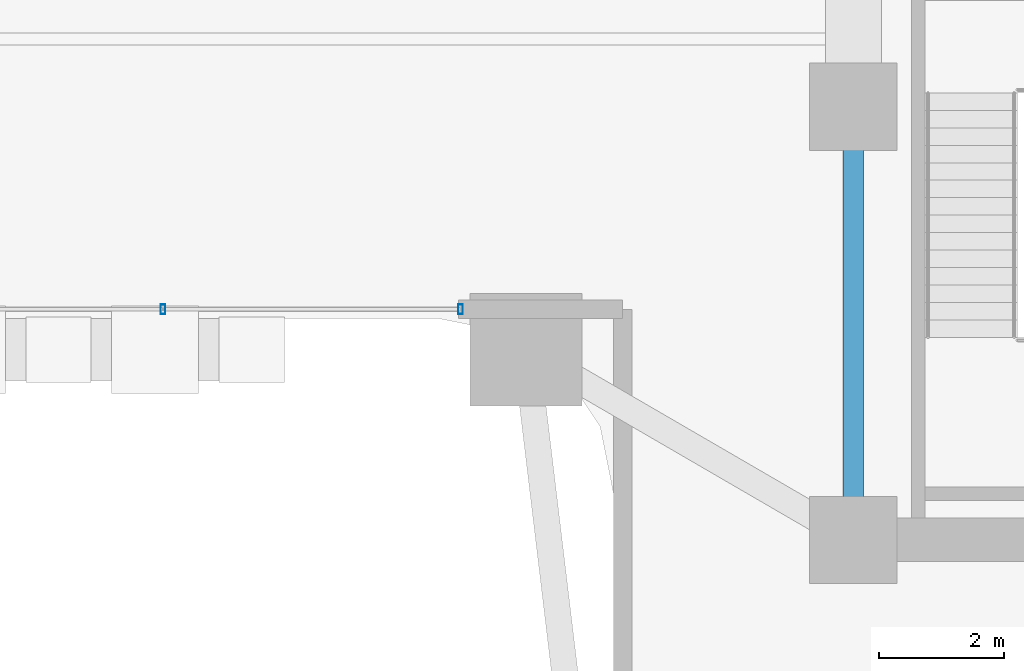
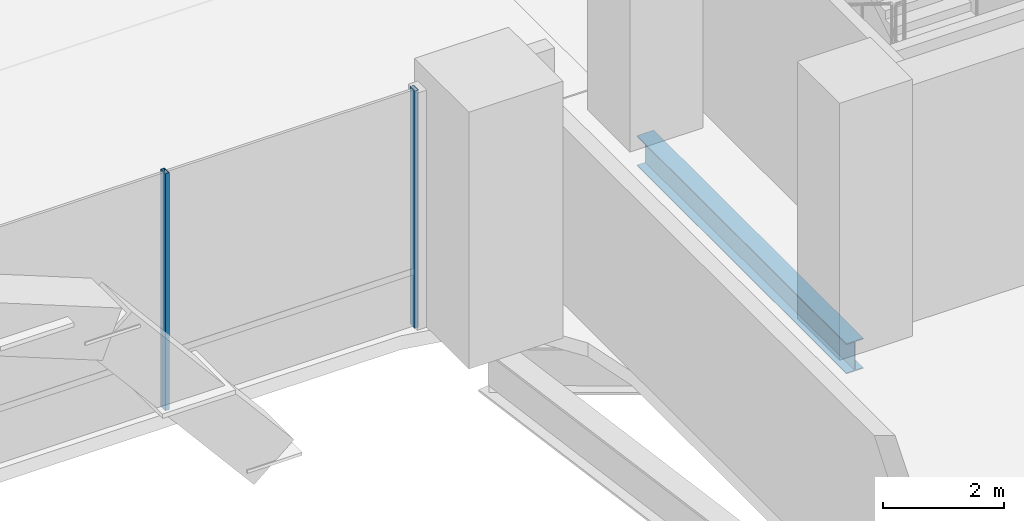
# One storey, part 10 of 39: 2 members, 1 beam, 1 element without a shape of its own.
"""IFC4 building model written with IfcOpenShell, lengths in metres."""

import ifcopenshell
import ifcopenshell.guid

model = None  # the IFC model being written
_history = None  # IfcOwnerHistory: only IFC2X3 demands one
_inside = {}  # id of a spatial element -> (the spatial element, [elements in it])
_under = {}  # id of a project, library or spatial element -> (it, [spatial elements below it])
_declared = {}  # id of a project -> (the project, [libraries it declares])
_typed = {}  # id of a type object -> (the type object, [elements of that type])
_made_of = {}  # id of a material, layer set ... -> (it, [elements and type objects made of it])


def new_model(schema):
    """Start an empty IFC model of exactly this schema.

    Asked for "IFC4X3", IfcOpenShell would pick the latest addendum, in which some entities
    have other attributes; the version numbers below select the first issue.
    IFC2X3 requires an IfcOwnerHistory on every rooted entity: one is made here for all.
    """
    global model, _history
    if schema == "IFC4X3":
        model = ifcopenshell.file(schema_version=(4, 3, 0, 0))
    else:
        model = ifcopenshell.file(schema=schema)
    _inside.clear()
    _under.clear()
    _declared.clear()
    _typed.clear()
    _made_of.clear()
    _history = None
    if model.schema == "IFC2X3":
        org = make("IfcOrganization", Name="unknown")
        user = make(
            "IfcPersonAndOrganization",
            ThePerson=make("IfcPerson", FamilyName="unknown"),
            TheOrganization=org,
        )
        app = make(
            "IfcApplication",
            ApplicationDeveloper=org,
            Version="unknown",
            ApplicationFullName="unknown",
            ApplicationIdentifier="unknown",
        )
        _history = make(
            "IfcOwnerHistory",
            OwningUser=user,
            OwningApplication=app,
            ChangeAction="ADDED",
            CreationDate=0,
        )
    return model


def make(cls, **values):
    """One entity of the class cls with the attributes given. An attribute that is None is left unset."""
    return model.create_entity(
        cls, **{name: value for name, value in values.items() if value is not None}
    )


def rooted(cls, **values):
    """An entity with a GlobalId (a new one), such as an element, a storey or a relation."""
    return make(cls, GlobalId=ifcopenshell.guid.new(), OwnerHistory=_history, **values)


def si_unit(unit_type, name, prefix=None):
    """IfcSIUnit, for example si_unit("LENGTHUNIT", "METRE", prefix="MILLI")."""
    return make("IfcSIUnit", UnitType=unit_type, Prefix=prefix, Name=name)


def assignment(units):
    """IfcUnitAssignment: the units of a project."""
    return None if units is None else make("IfcUnitAssignment", Units=units)


def point(xyz):
    """IfcCartesianPoint."""
    return None if xyz is None else make("IfcCartesianPoint", Coordinates=xyz)


def direction(xyz):
    """IfcDirection."""
    return None if xyz is None else make("IfcDirection", DirectionRatios=xyz)


def frame(location, z_axis=None, x_axis=None):
    """IfcAxis2Placement3D, a coordinate frame: its origin and axes. An axis left out is left unset."""
    return make(
        "IfcAxis2Placement3D",
        Location=point(location),
        Axis=direction(z_axis),
        RefDirection=direction(x_axis),
    )


def frame_2d(location, x_axis=None):
    """IfcAxis2Placement2D, a coordinate frame in the plane: its origin and x axis."""
    return make(
        "IfcAxis2Placement2D", Location=point(location), RefDirection=direction(x_axis)
    )


def origin():
    """The frame at (0, 0, 0) with its axes left unset."""
    return frame((0.0, 0.0, 0.0))


def origin_2d():
    """The frame at (0, 0) in the plane with its x axis left unset."""
    return frame_2d((0.0, 0.0))


def place(relative_to, where):
    """IfcLocalPlacement: puts the frame where relative to a parent placement (None: the world)."""
    return make(
        "IfcLocalPlacement", PlacementRelTo=relative_to, RelativePlacement=where
    )


def context(
    kind, dimensions, precision=None, world=None, true_north=None, identifier=None
):
    """IfcGeometricRepresentationContext, for example the 3D "Model" context."""
    return make(
        "IfcGeometricRepresentationContext",
        ContextIdentifier=identifier,
        ContextType=kind,
        CoordinateSpaceDimension=dimensions,
        Precision=precision,
        WorldCoordinateSystem=world,
        TrueNorth=true_north,
    )


def subcontext(parent, identifier, kind, view, scale=None):
    """IfcGeometricRepresentationSubContext, for example "Body" below "Model"."""
    return make(
        "IfcGeometricRepresentationSubContext",
        ContextIdentifier=identifier,
        ContextType=kind,
        ParentContext=parent,
        TargetScale=scale,
        TargetView=view,
    )


def project(units=None, contexts=None):
    """IfcProject with its units and contexts."""
    return rooted(
        "IfcProject",
        Name="project",
        RepresentationContexts=contexts,
        UnitsInContext=assignment(units),
    )


def spatial(cls, under=None, at=None, **own):
    """A site, building, storey or space (cls), placed at a placement, below another one or the project."""
    s = rooted(cls, ObjectPlacement=at, **own)
    if under is not None:
        _under.setdefault(under.id(), (under, []))[1].append(s)
    return s


def profile(cls, at=None, kind="AREA", **sizes):
    """A parametric profile (cls). Its sizes go by their IFC names, for example OverallWidth=200.0."""
    return make(cls, ProfileType=kind, Position=at, **sizes)


def hollow_rectangle(**sizes):
    """IfcRectangleHollowProfileDef."""
    return profile("IfcRectangleHollowProfileDef", **sizes)


def i_section(**sizes):
    """IfcIShapeProfileDef."""
    return profile("IfcIShapeProfileDef", **sizes)


def extrude(swept, where, along, depth):
    """IfcExtrudedAreaSolid: the profile swept, set in the frame where, extruded along a direction by depth."""
    return make(
        "IfcExtrudedAreaSolid",
        SweptArea=swept,
        Position=where,
        ExtrudedDirection=direction(along),
        Depth=depth,
    )


def shape(context_of_items, identifier, shape_type, items):
    """IfcShapeRepresentation: the items that make up one representation, for example the "Body"."""
    return make(
        "IfcShapeRepresentation",
        ContextOfItems=context_of_items,
        RepresentationIdentifier=identifier,
        RepresentationType=shape_type,
        Items=items,
    )


def source(mapping_origin, context_of_items, identifier, shape_type, items):
    """IfcRepresentationMap: a shape defined once, which mapped items show again and again."""
    return make(
        "IfcRepresentationMap",
        MappingOrigin=mapping_origin,
        MappedRepresentation=shape(context_of_items, identifier, shape_type, items),
    )


def transform(
    local_origin,
    x_axis=None,
    y_axis=None,
    z_axis=None,
    scale=None,
    scale2=None,
    scale3=None,
    uniform=True,
):
    """IfcCartesianTransformationOperator3D, or its non-uniform kind. x_axis, y_axis, z_axis: its Axis1, 2, 3."""
    if uniform:
        return make(
            "IfcCartesianTransformationOperator3D",
            Axis1=direction(x_axis),
            Axis2=direction(y_axis),
            LocalOrigin=point(local_origin),
            Scale=scale,
            Axis3=direction(z_axis),
        )
    return make(
        "IfcCartesianTransformationOperator3DnonUniform",
        Axis1=direction(x_axis),
        Axis2=direction(y_axis),
        LocalOrigin=point(local_origin),
        Scale=scale,
        Axis3=direction(z_axis),
        Scale2=scale2,
        Scale3=scale3,
    )


def mapped(mapping_source, mapping_target):
    """IfcMappedItem: shows the shape of a source again, moved by a transform."""
    return make(
        "IfcMappedItem", MappingSource=mapping_source, MappingTarget=mapping_target
    )


def material(Name=None, Category=None):
    """IfcMaterial."""
    return make("IfcMaterial", Name=Name, Category=Category)


def material_profile(
    of_material, cross_section, Name=None, Category=None, Priority=None
):
    """IfcMaterialProfile: a cross section and its material."""
    return make(
        "IfcMaterialProfile",
        Name=Name,
        Material=of_material,
        Profile=cross_section,
        Priority=Priority,
        Category=Category,
    )


def profile_set(profiles, Name=None, composite=None):
    """IfcMaterialProfileSet."""
    return make(
        "IfcMaterialProfileSet",
        Name=Name,
        MaterialProfiles=profiles,
        CompositeProfile=composite,
    )


def made_of(thing, what):
    """Note that an element or type object is made of a material, layer set ...; save() writes the relation."""
    if what is not None:
        _made_of.setdefault(what.id(), (what, []))[1].append(thing)
    return thing


def type_object(cls, material=None, **own):
    """A type object (cls), such as IfcWallType, which elements share."""
    return made_of(rooted(cls, **own), material)


def element(
    cls,
    number,
    at=None,
    inside=None,
    cuts=None,
    type_object=None,
    material=None,
    context=None,
    identifier="Body",
    shape_type=None,
    held_by="IfcProductDefinitionShape",
    body=None,
    shapes=None,
    **own,
):
    """One element of the class cls, such as IfcWall. Its Tag is "e" and its number.

    at: its placement. inside: the storey or other place that contains it. cuts: it is an
    opening in that element (IfcRelVoidsElement). A single representation is given by context,
    identifier, shape_type and body (its items); several are given by shapes. held_by: the class
    of the entity that holds the representations. save() writes the other relations.
    """
    e = rooted(cls, Tag="e%d" % number, ObjectPlacement=at, **own)
    if body is not None:
        shapes = [shape(context, identifier, shape_type, body)]
    if shapes is not None:
        e.Representation = make(held_by, Representations=shapes)
    if inside is not None:
        _inside.setdefault(inside.id(), (inside, []))[1].append(e)
    if cuts is not None:
        rooted(
            "IfcRelVoidsElement", RelatingBuildingElement=cuts, RelatedOpeningElement=e
        )
    if type_object is not None:
        _typed.setdefault(type_object.id(), (type_object, []))[1].append(e)
    return made_of(e, material)


def aggregate(whole, parts):
    """IfcRelAggregates: a whole, such as a stair, and the parts it consists of."""
    return rooted("IfcRelAggregates", RelatingObject=whole, RelatedObjects=parts)


def save(model, path):
    """Write the relations noted so far, then the file.

    IfcRelAggregates (storeys below a building ...), IfcRelContainedInSpatialStructure (elements
    in a storey), IfcRelDefinesByType, IfcRelAssociatesMaterial and IfcRelDeclares: one each for
    every whole, place, type object, material and project.
    """
    for whole, parts in _under.values():
        aggregate(whole, parts)
    for where, things in _inside.values():
        rooted(
            "IfcRelContainedInSpatialStructure",
            RelatedElements=things,
            RelatingStructure=where,
        )
    for kind, things in _typed.values():
        rooted("IfcRelDefinesByType", RelatedObjects=things, RelatingType=kind)
    for what, things in _made_of.values():
        rooted("IfcRelAssociatesMaterial", RelatedObjects=things, RelatingMaterial=what)
    for by, libraries in _declared.values():
        rooted("IfcRelDeclares", RelatingContext=by, RelatedDefinitions=libraries)
    model.write(path)


model = new_model("IFC4")

# Units and contexts
model_context = context("Model", 3, precision=1e-05, world=origin(), true_north=direction((0.0, 1.0)))
body_context = subcontext(model_context, "Body", "Model", "MODEL_VIEW")
ifc_project = project(units=[si_unit("LENGTHUNIT", "METRE"), si_unit("AREAUNIT", "SQUARE_METRE"), si_unit("VOLUMEUNIT", "CUBIC_METRE"), si_unit("PLANEANGLEUNIT", "RADIAN"), si_unit("MASSUNIT", "GRAM", prefix="KILO")], contexts=[model_context])

# Site, building, storey
site_placement = place(None, origin())
site = spatial("IfcSite", under=ifc_project, at=site_placement, CompositionType="ELEMENT")
building_placement = place(site_placement, origin())
building = spatial("IfcBuilding", under=site, at=building_placement, Name="Valdorenza Pilgrim Sanctuary Tower", CompositionType="ELEMENT")
storey_placement = place(building_placement, frame((0.0, 0.0, 15.60009765625)))
storey = spatial("IfcBuildingStorey", under=building, at=storey_placement, Name="L03", CompositionType="ELEMENT", Elevation=15.60009765625)

# Beam
ifc_material_1 = material(Name="Steel ASTM A992 Grade 50", Category="steel")
ifc_material_profile_1 = material_profile(ifc_material_1, i_section(OverallWidth=0.323974609375, OverallDepth=0.611083984375, WebThickness=0.0126953125, FlangeThickness=0.01904296875, at=origin_2d()), Name="W24X104")
ifc_profile_set_1 = profile_set([ifc_material_profile_1], Name="Steel ASTM A992 Grade 50")
beam_type = type_object("IfcBeamType", Name="STR-BM-GRD-W24B", PredefinedType="BEAM", material=ifc_profile_set_1)
shared_shape_1 = source(origin(), body_context, "Body", "SweptSolid", [
    extrude(i_section(OverallWidth=0.323974609375, OverallDepth=0.611083984375, WebThickness=0.0126953125, FlangeThickness=0.01904296875, at=origin_2d()), origin(), (0.0, 0.0, 1.0), 6.949951171875),
])
beam_placement = place(storey_placement, frame((15.85009765625, -9.550048828125, -0.585693359375), z_axis=(0.0, 1.0, 0.0), x_axis=(-1.0, 0.0, 0.0)))
element("IfcBeam", 1, at=beam_placement, inside=storey, type_object=beam_type, Name="L03 Core Tie Girder CB-W-S1M0", PredefinedType="BEAM", context=body_context, shape_type="MappedRepresentation", body=[
    mapped(shared_shape_1, transform((0.0, 0.0, 0.0), x_axis=(1.0, 0.0, 0.0), y_axis=(0.0, 1.0, 0.0), z_axis=(0.0, 0.0, 1.0), scale=1.0)),
])

# Curtain wall, members
ifc_material_2 = material(Name="Curtain-wall IGU glazing", Category="glass")
curtain_wall_type = type_object("IfcCurtainWallType", Name="CW-SYS-01", PredefinedType="NOTDEFINED", material=ifc_material_2)
curtain_wall_placement = place(storey_placement, origin())
curtain_wall = element("IfcCurtainWall", 2, at=curtain_wall_placement, inside=storey, type_object=curtain_wall_type, Name="L03 Curtain Wall CW-POD-L03-ARCH-BACK", PredefinedType="NOTDEFINED")
ifc_material_3 = material(Name="Anodised aluminium AW-6060", Category="aluminium")
ifc_material_profile_2 = material_profile(ifc_material_3, hollow_rectangle(XDim=0.074951171875, YDim=0.159912109375, WallThickness=0.00390625, at=origin_2d()), Name="ALU-M 160x75x4")
ifc_profile_set_2 = profile_set([ifc_material_profile_2], Name="Anodised aluminium AW-6060")
member_type = type_object("IfcMemberType", Name="CW-MUL-01", PredefinedType="MULLION", material=ifc_profile_set_2)
shared_shape_2 = source(origin(), body_context, "Body", "SweptSolid", [
    extrude(hollow_rectangle(XDim=0.074951171875, YDim=0.159912109375, WallThickness=0.00390625, at=origin_2d()), origin(), (0.0, 0.0, 1.0), 4.7998046875),
])
member_1_placement = place(storey_placement, frame((4.77490234375, -5.85009765625, 0.0), z_axis=(0.0, 0.0, 1.0), x_axis=(1.0, 0.0, 0.0)))
member_1 = element("IfcMember", 3, at=member_1_placement, type_object=member_type, Name="CW-POD-L03-ARCH-BACK Mullion 4", PredefinedType="MULLION", context=body_context, shape_type="MappedRepresentation", body=[
    mapped(shared_shape_2, transform((0.0, 0.0, 0.0), x_axis=(1.0, 0.0, 0.0), y_axis=(0.0, 1.0, 0.0), z_axis=(0.0, 0.0, 1.0), scale=1.0)),
])
member_2_placement = place(storey_placement, frame((9.550048828125, -5.85009765625, 0.0), z_axis=(0.0, 0.0, 1.0), x_axis=(1.0, 0.0, 0.0)))
member_2 = element("IfcMember", 4, at=member_2_placement, type_object=member_type, Name="CW-POD-L03-ARCH-BACK Mullion 5", PredefinedType="MULLION", context=body_context, shape_type="MappedRepresentation", body=[
    mapped(shared_shape_2, transform((0.0, 0.0, 0.0), x_axis=(1.0, 0.0, 0.0), y_axis=(0.0, 1.0, 0.0), z_axis=(0.0, 0.0, 1.0), scale=1.0)),
])
aggregate(curtain_wall, [member_1, member_2])

save(model, "model.ifc")
